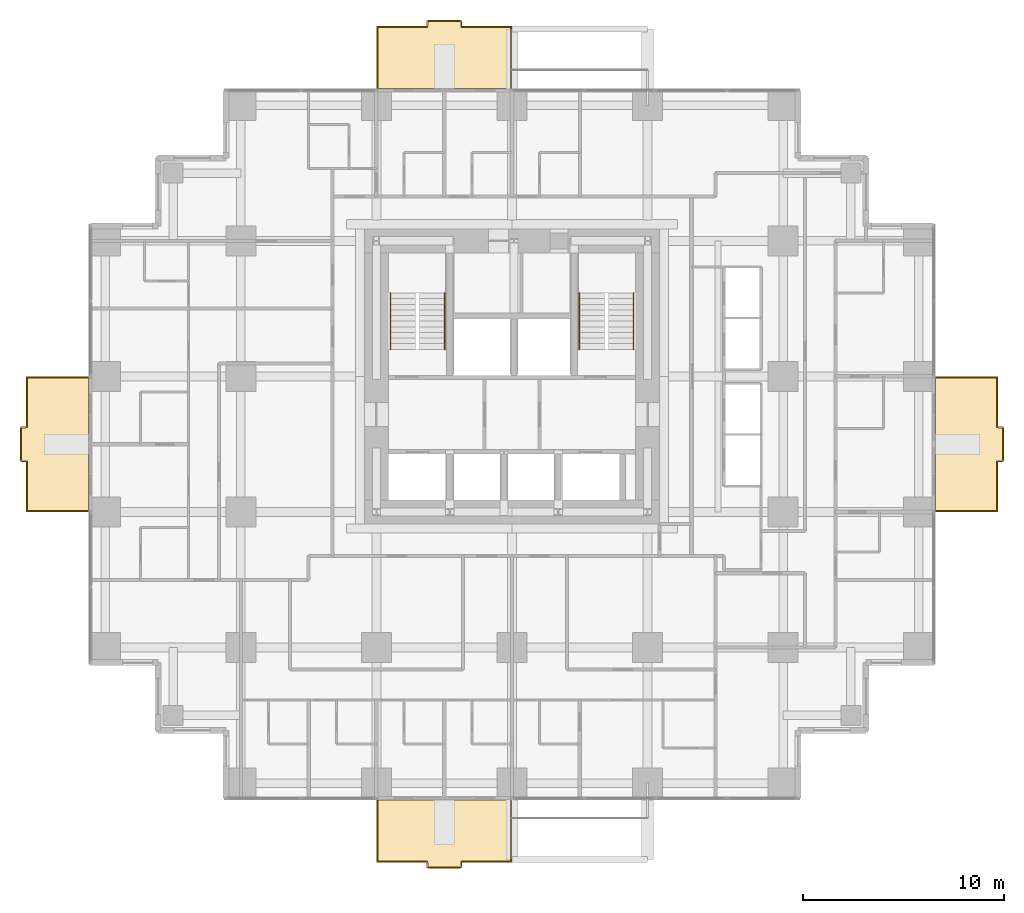
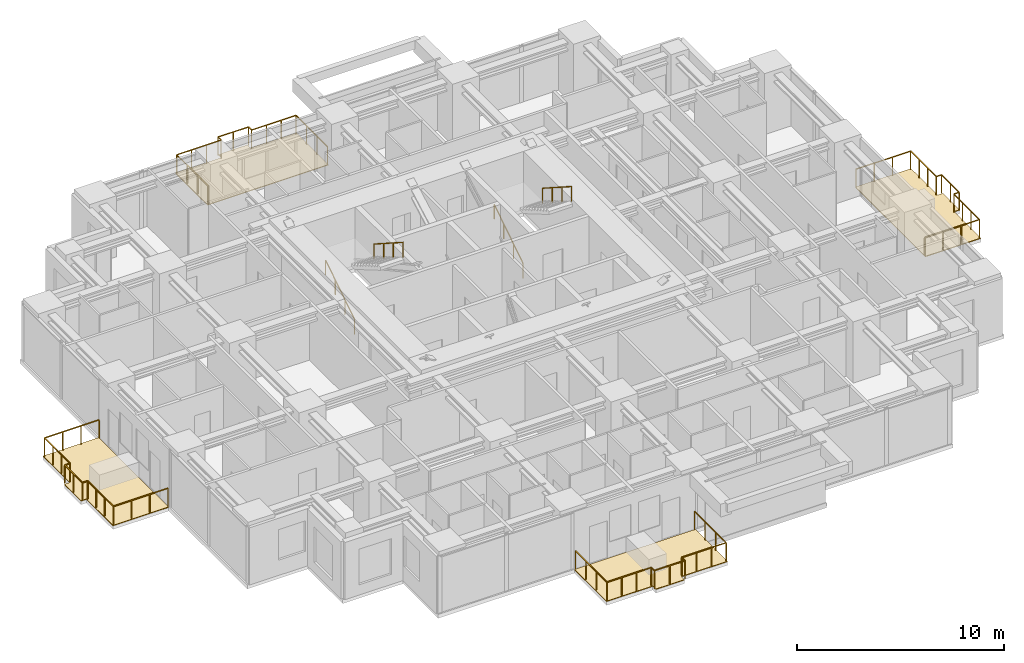
# One storey, part 13 of 13: 8 railings, 4 coverings.
"""IFC4 building model written with IfcOpenShell, lengths in metres."""

from ifc_helpers import new_model, si_unit, direction, frame, origin, origin_2d, place, context, subcontext, project, spatial, polyline, rectangle, outline, extrude, material, layer, layer_set, type_object, element, save


model = new_model("IFC4")

# Units and contexts
model_context = context("Model", 3, precision=1e-05, world=origin(), true_north=direction((0.0, 1.0)))
body_context = subcontext(model_context, "Body", "Model", "MODEL_VIEW")
ifc_project = project(units=[si_unit("LENGTHUNIT", "METRE"), si_unit("AREAUNIT", "SQUARE_METRE"), si_unit("VOLUMEUNIT", "CUBIC_METRE"), si_unit("PLANEANGLEUNIT", "RADIAN"), si_unit("MASSUNIT", "GRAM", prefix="KILO")], contexts=[model_context])

# Site, building, storey
site_placement = place(None, origin())
site = spatial("IfcSite", under=ifc_project, at=site_placement, CompositionType="ELEMENT")
building_placement = place(site_placement, origin())
building = spatial("IfcBuilding", under=site, at=building_placement, Name="Nyansa Garden Tower", CompositionType="ELEMENT")
storey_placement = place(building_placement, frame((0.0, 0.0, 116.10009765625)))
storey = spatial("IfcBuildingStorey", under=building, at=storey_placement, Name="L31", CompositionType="ELEMENT", Elevation=116.10009765625)

# Coverings
ifc_material_1 = material(Name="Hardwood decking on pedestals", Category="wood")
ifc_layer = layer(ifc_material_1, 0.0400390625)
ifc_layer_set = layer_set([ifc_layer], Name="Balcony decking DK40")
covering_type = type_object("IfcCoveringType", Name="Balcony decking DK40", PredefinedType="FLOORING", material=ifc_layer_set)
covering_1_placement = place(storey_placement, frame((0.0, 0.0, -0.0400390625)))
element("IfcCovering", 1, at=covering_1_placement, inside=storey, type_object=covering_type, Name="Balcony decking L31", PredefinedType="FLOORING", context=body_context, shape_type="SweptSolid", body=[
    extrude(outline(polyline([(13.5, -0.85009765625), (20.25, -0.85009765625), (20.25, -3.949951171875), (17.675048828125, -3.949951171875), (17.675048828125, -4.25), (16.074951171875, -4.25), (16.074951171875, -3.949951171875), (13.5, -3.949951171875), (13.5, -0.85009765625)])), origin(), (0.0, 0.0, 1.0), 0.0400390625),
])
covering_2_placement = place(storey_placement, frame((0.0, 0.0, -0.0400390625)))
element("IfcCovering", 2, at=covering_2_placement, inside=storey, type_object=covering_type, Name="Balcony decking L31", PredefinedType="FLOORING", context=body_context, shape_type="SweptSolid", body=[
    extrude(outline(polyline([(41.35009765625, 13.5), (41.35009765625, 20.25), (44.449951171875, 20.25), (44.449951171875, 17.675048828125), (44.75, 17.675048828125), (44.75, 16.074951171875), (44.449951171875, 16.074951171875), (44.449951171875, 13.5), (41.35009765625, 13.5)])), origin(), (0.0, 0.0, 1.0), 0.0400390625),
])
covering_3_placement = place(storey_placement, frame((0.0, 0.0, -0.0400390625)))
element("IfcCovering", 3, at=covering_3_placement, inside=storey, type_object=covering_type, Name="Balcony decking L31", PredefinedType="FLOORING", context=body_context, shape_type="SweptSolid", body=[
    extrude(outline(polyline([(13.5, 34.60009765625), (20.25, 34.60009765625), (20.25, 37.699951171875), (17.675048828125, 37.699951171875), (17.675048828125, 38.0), (16.074951171875, 38.0), (16.074951171875, 37.699951171875), (13.5, 37.699951171875), (13.5, 34.60009765625)])), origin(), (0.0, 0.0, 1.0), 0.0400390625),
])
covering_4_placement = place(storey_placement, frame((0.0, 0.0, -0.0400390625)))
element("IfcCovering", 4, at=covering_4_placement, inside=storey, type_object=covering_type, Name="Balcony decking L31", PredefinedType="FLOORING", context=body_context, shape_type="SweptSolid", body=[
    extrude(outline(polyline([(-0.85009765625, 13.5), (-0.85009765625, 20.25), (-3.949951171875, 20.25), (-3.949951171875, 17.675048828125), (-4.25, 17.675048828125), (-4.25, 16.074951171875), (-3.949951171875, 16.074951171875), (-3.949951171875, 13.5), (-0.85009765625, 13.5)])), origin(), (0.0, 0.0, 1.0), 0.0400390625),
])

# Railings
ifc_material_2 = material(Name="Black powder-coated steel balusters, laminated glass infill", Category="steel")
railing_type_1 = type_object("IfcRailingType", Name="Balcony guard G1", PredefinedType="GUARDRAIL", material=ifc_material_2)
railing_1_placement = place(storey_placement, frame((13.550048828125, -0.85009765625, 0.0)))
element("IfcRailing", 5, at=railing_1_placement, inside=storey, type_object=railing_type_1, Name="Balcony guard L31", PredefinedType="GUARDRAIL", context=body_context, shape_type="SweptSolid", body=[
    extrude(rectangle(XDim=0.048095703125, YDim=0.048095703125, at=origin_2d()), frame((0.0, 0.0, 1.076171875), z_axis=(0.0, -1.0, 0.0), x_axis=(1.0, 0.0, 0.0)), (0.0, 0.0, 1.0), 3.0498046875),
    extrude(rectangle(XDim=0.048095703125, YDim=0.048095703125, at=origin_2d()), frame((0.0, -3.0498046875, 1.076171875), z_axis=(1.0, 0.0, 0.0), x_axis=(0.0, 1.0, 0.0)), (0.0, 0.0, 1.0), 2.474853515625),
    extrude(rectangle(XDim=0.048095703125, YDim=0.048095703125, at=origin_2d()), frame((2.474853515625, -3.0498046875, 1.076171875), z_axis=(0.0, -1.0, 0.0), x_axis=(1.0, 0.0, 0.0)), (0.0, 0.0, 1.0), 0.300048828125),
    extrude(rectangle(XDim=0.048095703125, YDim=0.048095703125, at=origin_2d()), frame((2.474853515625, -3.349853515625, 1.076171875), z_axis=(1.0, 0.0, 0.0), x_axis=(0.0, 1.0, 0.0)), (0.0, 0.0, 1.0), 1.7001953125),
    extrude(rectangle(XDim=0.048095703125, YDim=0.048095703125, at=origin_2d()), frame((4.175048828125, -3.349853515625, 1.076171875), z_axis=(0.0, 1.0, 0.0), x_axis=(-1.0, 0.0, 0.0)), (0.0, 0.0, 1.0), 0.300048828125),
    extrude(rectangle(XDim=0.048095703125, YDim=0.048095703125, at=origin_2d()), frame((4.175048828125, -3.0498046875, 1.076171875), z_axis=(1.0, 0.0, 0.0), x_axis=(0.0, 1.0, 0.0)), (0.0, 0.0, 1.0), 2.474853515625),
    extrude(rectangle(XDim=0.048095703125, YDim=0.048095703125, at=origin_2d()), frame((6.64990234375, -3.0498046875, 1.076171875), z_axis=(0.0, 1.0, 0.0), x_axis=(-1.0, 0.0, 0.0)), (0.0, 0.0, 1.0), 3.0498046875),
    extrude(rectangle(XDim=0.0419921875, YDim=0.0419921875, at=origin_2d()), origin(), (0.0, 0.0, 1.0), 1.052001953125),
    extrude(rectangle(XDim=0.0419921875, YDim=0.0419921875, at=origin_2d()), frame((0.0, -1.0166015625, 0.0)), (0.0, 0.0, 1.0), 1.052001953125),
    extrude(rectangle(XDim=0.0419921875, YDim=0.0419921875, at=origin_2d()), frame((0.0, -2.033203125, 0.0)), (0.0, 0.0, 1.0), 1.052001953125),
    extrude(rectangle(XDim=0.0419921875, YDim=0.0419921875, at=origin_2d()), frame((0.0, -3.0498046875, 0.0)), (0.0, 0.0, 1.0), 1.052001953125),
    extrude(rectangle(XDim=0.0419921875, YDim=0.0419921875, at=origin_2d()), frame((0.824951171875, -3.0498046875, 0.0)), (0.0, 0.0, 1.0), 1.052001953125),
    extrude(rectangle(XDim=0.0419921875, YDim=0.0419921875, at=origin_2d()), frame((1.64990234375, -3.0498046875, 0.0)), (0.0, 0.0, 1.0), 1.052001953125),
    extrude(rectangle(XDim=0.0419921875, YDim=0.0419921875, at=origin_2d()), frame((2.474853515625, -3.0498046875, 0.0)), (0.0, 0.0, 1.0), 1.052001953125),
    extrude(rectangle(XDim=0.0419921875, YDim=0.0419921875, at=origin_2d()), frame((2.474853515625, -3.349853515625, 0.0)), (0.0, 0.0, 1.0), 1.052001953125),
    extrude(rectangle(XDim=0.0419921875, YDim=0.0419921875, at=origin_2d()), frame((3.324951171875, -3.349853515625, 0.0)), (0.0, 0.0, 1.0), 1.052001953125),
    extrude(rectangle(XDim=0.0419921875, YDim=0.0419921875, at=origin_2d()), frame((4.175048828125, -3.349853515625, 0.0)), (0.0, 0.0, 1.0), 1.052001953125),
    extrude(rectangle(XDim=0.0419921875, YDim=0.0419921875, at=origin_2d()), frame((4.175048828125, -3.0498046875, 0.0)), (0.0, 0.0, 1.0), 1.052001953125),
    extrude(rectangle(XDim=0.0419921875, YDim=0.0419921875, at=origin_2d()), frame((5.0, -3.0498046875, 0.0)), (0.0, 0.0, 1.0), 1.052001953125),
    extrude(rectangle(XDim=0.0419921875, YDim=0.0419921875, at=origin_2d()), frame((5.824951171875, -3.0498046875, 0.0)), (0.0, 0.0, 1.0), 1.052001953125),
    extrude(rectangle(XDim=0.0419921875, YDim=0.0419921875, at=origin_2d()), frame((6.64990234375, -3.0498046875, 0.0)), (0.0, 0.0, 1.0), 1.052001953125),
    extrude(rectangle(XDim=0.0419921875, YDim=0.0419921875, at=origin_2d()), frame((6.64990234375, -2.033203125, 0.0)), (0.0, 0.0, 1.0), 1.052001953125),
    extrude(rectangle(XDim=0.0419921875, YDim=0.0419921875, at=origin_2d()), frame((6.64990234375, -1.0166015625, 0.0)), (0.0, 0.0, 1.0), 1.052001953125),
    extrude(rectangle(XDim=0.0419921875, YDim=0.0419921875, at=origin_2d()), frame((6.64990234375, 0.0, 0.0)), (0.0, 0.0, 1.0), 1.052001953125),
])
railing_2_placement = place(storey_placement, frame((41.35009765625, 13.550048828125, 0.0)))
element("IfcRailing", 6, at=railing_2_placement, inside=storey, type_object=railing_type_1, Name="Balcony guard L31", PredefinedType="GUARDRAIL", context=body_context, shape_type="SweptSolid", body=[
    extrude(rectangle(XDim=0.048095703125, YDim=0.048095703125, at=origin_2d()), frame((0.0, 0.0, 1.076171875), z_axis=(1.0, 0.0, 0.0), x_axis=(0.0, 1.0, 0.0)), (0.0, 0.0, 1.0), 3.0498046875),
    extrude(rectangle(XDim=0.048095703125, YDim=0.048095703125, at=origin_2d()), frame((3.0498046875, 0.0, 1.076171875), z_axis=(0.0, 1.0, 0.0), x_axis=(-1.0, 0.0, 0.0)), (0.0, 0.0, 1.0), 2.474853515625),
    extrude(rectangle(XDim=0.048095703125, YDim=0.048095703125, at=origin_2d()), frame((3.0498046875, 2.474853515625, 1.076171875), z_axis=(1.0, 0.0, 0.0), x_axis=(0.0, 1.0, 0.0)), (0.0, 0.0, 1.0), 0.300048828125),
    extrude(rectangle(XDim=0.048095703125, YDim=0.048095703125, at=origin_2d()), frame((3.349853515625, 2.474853515625, 1.076171875), z_axis=(0.0, 1.0, 0.0), x_axis=(-1.0, 0.0, 0.0)), (0.0, 0.0, 1.0), 1.7001953125),
    extrude(rectangle(XDim=0.048095703125, YDim=0.048095703125, at=origin_2d()), frame((3.349853515625, 4.175048828125, 1.076171875), z_axis=(-1.0, 0.0, 0.0), x_axis=(0.0, -1.0, 0.0)), (0.0, 0.0, 1.0), 0.300048828125),
    extrude(rectangle(XDim=0.048095703125, YDim=0.048095703125, at=origin_2d()), frame((3.0498046875, 4.175048828125, 1.076171875), z_axis=(0.0, 1.0, 0.0), x_axis=(-1.0, 0.0, 0.0)), (0.0, 0.0, 1.0), 2.474853515625),
    extrude(rectangle(XDim=0.048095703125, YDim=0.048095703125, at=origin_2d()), frame((3.0498046875, 6.64990234375, 1.076171875), z_axis=(-1.0, 0.0, 0.0), x_axis=(0.0, -1.0, 0.0)), (0.0, 0.0, 1.0), 3.0498046875),
    extrude(rectangle(XDim=0.0419921875, YDim=0.0419921875, at=origin_2d()), origin(), (0.0, 0.0, 1.0), 1.052001953125),
    extrude(rectangle(XDim=0.0419921875, YDim=0.0419921875, at=origin_2d()), frame((1.0166015625, 0.0, 0.0)), (0.0, 0.0, 1.0), 1.052001953125),
    extrude(rectangle(XDim=0.0419921875, YDim=0.0419921875, at=origin_2d()), frame((2.033203125, 0.0, 0.0)), (0.0, 0.0, 1.0), 1.052001953125),
    extrude(rectangle(XDim=0.0419921875, YDim=0.0419921875, at=origin_2d()), frame((3.0498046875, 0.0, 0.0)), (0.0, 0.0, 1.0), 1.052001953125),
    extrude(rectangle(XDim=0.0419921875, YDim=0.0419921875, at=origin_2d()), frame((3.0498046875, 0.824951171875, 0.0)), (0.0, 0.0, 1.0), 1.052001953125),
    extrude(rectangle(XDim=0.0419921875, YDim=0.0419921875, at=origin_2d()), frame((3.0498046875, 1.64990234375, 0.0)), (0.0, 0.0, 1.0), 1.052001953125),
    extrude(rectangle(XDim=0.0419921875, YDim=0.0419921875, at=origin_2d()), frame((3.0498046875, 2.474853515625, 0.0)), (0.0, 0.0, 1.0), 1.052001953125),
    extrude(rectangle(XDim=0.0419921875, YDim=0.0419921875, at=origin_2d()), frame((3.349853515625, 2.474853515625, 0.0)), (0.0, 0.0, 1.0), 1.052001953125),
    extrude(rectangle(XDim=0.0419921875, YDim=0.0419921875, at=origin_2d()), frame((3.349853515625, 3.324951171875, 0.0)), (0.0, 0.0, 1.0), 1.052001953125),
    extrude(rectangle(XDim=0.0419921875, YDim=0.0419921875, at=origin_2d()), frame((3.349853515625, 4.175048828125, 0.0)), (0.0, 0.0, 1.0), 1.052001953125),
    extrude(rectangle(XDim=0.0419921875, YDim=0.0419921875, at=origin_2d()), frame((3.0498046875, 4.175048828125, 0.0)), (0.0, 0.0, 1.0), 1.052001953125),
    extrude(rectangle(XDim=0.0419921875, YDim=0.0419921875, at=origin_2d()), frame((3.0498046875, 5.0, 0.0)), (0.0, 0.0, 1.0), 1.052001953125),
    extrude(rectangle(XDim=0.0419921875, YDim=0.0419921875, at=origin_2d()), frame((3.0498046875, 5.824951171875, 0.0)), (0.0, 0.0, 1.0), 1.052001953125),
    extrude(rectangle(XDim=0.0419921875, YDim=0.0419921875, at=origin_2d()), frame((3.0498046875, 6.64990234375, 0.0)), (0.0, 0.0, 1.0), 1.052001953125),
    extrude(rectangle(XDim=0.0419921875, YDim=0.0419921875, at=origin_2d()), frame((2.033203125, 6.64990234375, 0.0)), (0.0, 0.0, 1.0), 1.052001953125),
    extrude(rectangle(XDim=0.0419921875, YDim=0.0419921875, at=origin_2d()), frame((1.0166015625, 6.64990234375, 0.0)), (0.0, 0.0, 1.0), 1.052001953125),
    extrude(rectangle(XDim=0.0419921875, YDim=0.0419921875, at=origin_2d()), frame((0.0, 6.64990234375, 0.0)), (0.0, 0.0, 1.0), 1.052001953125),
])
railing_3_placement = place(storey_placement, frame((13.550048828125, 34.60009765625, 0.0)))
element("IfcRailing", 7, at=railing_3_placement, inside=storey, type_object=railing_type_1, Name="Balcony guard L31", PredefinedType="GUARDRAIL", context=body_context, shape_type="SweptSolid", body=[
    extrude(rectangle(XDim=0.048095703125, YDim=0.048095703125, at=origin_2d()), frame((0.0, 0.0, 1.076171875), z_axis=(0.0, 1.0, 0.0), x_axis=(-1.0, 0.0, 0.0)), (0.0, 0.0, 1.0), 3.0498046875),
    extrude(rectangle(XDim=0.048095703125, YDim=0.048095703125, at=origin_2d()), frame((0.0, 3.0498046875, 1.076171875), z_axis=(1.0, 0.0, 0.0), x_axis=(0.0, 1.0, 0.0)), (0.0, 0.0, 1.0), 2.474853515625),
    extrude(rectangle(XDim=0.048095703125, YDim=0.048095703125, at=origin_2d()), frame((2.474853515625, 3.0498046875, 1.076171875), z_axis=(0.0, 1.0, 0.0), x_axis=(-1.0, 0.0, 0.0)), (0.0, 0.0, 1.0), 0.300048828125),
    extrude(rectangle(XDim=0.048095703125, YDim=0.048095703125, at=origin_2d()), frame((2.474853515625, 3.349853515625, 1.076171875), z_axis=(1.0, 0.0, 0.0), x_axis=(0.0, 1.0, 0.0)), (0.0, 0.0, 1.0), 1.7001953125),
    extrude(rectangle(XDim=0.048095703125, YDim=0.048095703125, at=origin_2d()), frame((4.175048828125, 3.349853515625, 1.076171875), z_axis=(0.0, -1.0, 0.0), x_axis=(1.0, 0.0, 0.0)), (0.0, 0.0, 1.0), 0.300048828125),
    extrude(rectangle(XDim=0.048095703125, YDim=0.048095703125, at=origin_2d()), frame((4.175048828125, 3.0498046875, 1.076171875), z_axis=(1.0, 0.0, 0.0), x_axis=(0.0, 1.0, 0.0)), (0.0, 0.0, 1.0), 2.474853515625),
    extrude(rectangle(XDim=0.048095703125, YDim=0.048095703125, at=origin_2d()), frame((6.64990234375, 3.0498046875, 1.076171875), z_axis=(0.0, -1.0, 0.0), x_axis=(1.0, 0.0, 0.0)), (0.0, 0.0, 1.0), 3.0498046875),
    extrude(rectangle(XDim=0.0419921875, YDim=0.0419921875, at=origin_2d()), origin(), (0.0, 0.0, 1.0), 1.052001953125),
    extrude(rectangle(XDim=0.0419921875, YDim=0.0419921875, at=origin_2d()), frame((0.0, 1.0166015625, 0.0)), (0.0, 0.0, 1.0), 1.052001953125),
    extrude(rectangle(XDim=0.0419921875, YDim=0.0419921875, at=origin_2d()), frame((0.0, 2.033203125, 0.0)), (0.0, 0.0, 1.0), 1.052001953125),
    extrude(rectangle(XDim=0.0419921875, YDim=0.0419921875, at=origin_2d()), frame((0.0, 3.0498046875, 0.0)), (0.0, 0.0, 1.0), 1.052001953125),
    extrude(rectangle(XDim=0.0419921875, YDim=0.0419921875, at=origin_2d()), frame((0.824951171875, 3.0498046875, 0.0)), (0.0, 0.0, 1.0), 1.052001953125),
    extrude(rectangle(XDim=0.0419921875, YDim=0.0419921875, at=origin_2d()), frame((1.64990234375, 3.0498046875, 0.0)), (0.0, 0.0, 1.0), 1.052001953125),
    extrude(rectangle(XDim=0.0419921875, YDim=0.0419921875, at=origin_2d()), frame((2.474853515625, 3.0498046875, 0.0)), (0.0, 0.0, 1.0), 1.052001953125),
    extrude(rectangle(XDim=0.0419921875, YDim=0.0419921875, at=origin_2d()), frame((2.474853515625, 3.349853515625, 0.0)), (0.0, 0.0, 1.0), 1.052001953125),
    extrude(rectangle(XDim=0.0419921875, YDim=0.0419921875, at=origin_2d()), frame((3.324951171875, 3.349853515625, 0.0)), (0.0, 0.0, 1.0), 1.052001953125),
    extrude(rectangle(XDim=0.0419921875, YDim=0.0419921875, at=origin_2d()), frame((4.175048828125, 3.349853515625, 0.0)), (0.0, 0.0, 1.0), 1.052001953125),
    extrude(rectangle(XDim=0.0419921875, YDim=0.0419921875, at=origin_2d()), frame((4.175048828125, 3.0498046875, 0.0)), (0.0, 0.0, 1.0), 1.052001953125),
    extrude(rectangle(XDim=0.0419921875, YDim=0.0419921875, at=origin_2d()), frame((5.0, 3.0498046875, 0.0)), (0.0, 0.0, 1.0), 1.052001953125),
    extrude(rectangle(XDim=0.0419921875, YDim=0.0419921875, at=origin_2d()), frame((5.824951171875, 3.0498046875, 0.0)), (0.0, 0.0, 1.0), 1.052001953125),
    extrude(rectangle(XDim=0.0419921875, YDim=0.0419921875, at=origin_2d()), frame((6.64990234375, 3.0498046875, 0.0)), (0.0, 0.0, 1.0), 1.052001953125),
    extrude(rectangle(XDim=0.0419921875, YDim=0.0419921875, at=origin_2d()), frame((6.64990234375, 2.033203125, 0.0)), (0.0, 0.0, 1.0), 1.052001953125),
    extrude(rectangle(XDim=0.0419921875, YDim=0.0419921875, at=origin_2d()), frame((6.64990234375, 1.0166015625, 0.0)), (0.0, 0.0, 1.0), 1.052001953125),
    extrude(rectangle(XDim=0.0419921875, YDim=0.0419921875, at=origin_2d()), frame((6.64990234375, 0.0, 0.0)), (0.0, 0.0, 1.0), 1.052001953125),
])
railing_4_placement = place(storey_placement, frame((-0.85009765625, 13.550048828125, 0.0)))
element("IfcRailing", 8, at=railing_4_placement, inside=storey, type_object=railing_type_1, Name="Balcony guard L31", PredefinedType="GUARDRAIL", context=body_context, shape_type="SweptSolid", body=[
    extrude(rectangle(XDim=0.048095703125, YDim=0.048095703125, at=origin_2d()), frame((0.0, 0.0, 1.076171875), z_axis=(-1.0, 0.0, 0.0), x_axis=(0.0, -1.0, 0.0)), (0.0, 0.0, 1.0), 3.0498046875),
    extrude(rectangle(XDim=0.048095703125, YDim=0.048095703125, at=origin_2d()), frame((-3.0498046875, 0.0, 1.076171875), z_axis=(0.0, 1.0, 0.0), x_axis=(-1.0, 0.0, 0.0)), (0.0, 0.0, 1.0), 2.474853515625),
    extrude(rectangle(XDim=0.048095703125, YDim=0.048095703125, at=origin_2d()), frame((-3.0498046875, 2.474853515625, 1.076171875), z_axis=(-1.0, 0.0, 0.0), x_axis=(0.0, -1.0, 0.0)), (0.0, 0.0, 1.0), 0.300048828125),
    extrude(rectangle(XDim=0.048095703125, YDim=0.048095703125, at=origin_2d()), frame((-3.349853515625, 2.474853515625, 1.076171875), z_axis=(0.0, 1.0, 0.0), x_axis=(-1.0, 0.0, 0.0)), (0.0, 0.0, 1.0), 1.7001953125),
    extrude(rectangle(XDim=0.048095703125, YDim=0.048095703125, at=origin_2d()), frame((-3.349853515625, 4.175048828125, 1.076171875), z_axis=(1.0, 0.0, 0.0), x_axis=(0.0, 1.0, 0.0)), (0.0, 0.0, 1.0), 0.300048828125),
    extrude(rectangle(XDim=0.048095703125, YDim=0.048095703125, at=origin_2d()), frame((-3.0498046875, 4.175048828125, 1.076171875), z_axis=(0.0, 1.0, 0.0), x_axis=(-1.0, 0.0, 0.0)), (0.0, 0.0, 1.0), 2.474853515625),
    extrude(rectangle(XDim=0.048095703125, YDim=0.048095703125, at=origin_2d()), frame((-3.0498046875, 6.64990234375, 1.076171875), z_axis=(1.0, 0.0, 0.0), x_axis=(0.0, 1.0, 0.0)), (0.0, 0.0, 1.0), 3.0498046875),
    extrude(rectangle(XDim=0.0419921875, YDim=0.0419921875, at=origin_2d()), origin(), (0.0, 0.0, 1.0), 1.052001953125),
    extrude(rectangle(XDim=0.0419921875, YDim=0.0419921875, at=origin_2d()), frame((-1.0166015625, 0.0, 0.0)), (0.0, 0.0, 1.0), 1.052001953125),
    extrude(rectangle(XDim=0.0419921875, YDim=0.0419921875, at=origin_2d()), frame((-2.033203125, 0.0, 0.0)), (0.0, 0.0, 1.0), 1.052001953125),
    extrude(rectangle(XDim=0.0419921875, YDim=0.0419921875, at=origin_2d()), frame((-3.0498046875, 0.0, 0.0)), (0.0, 0.0, 1.0), 1.052001953125),
    extrude(rectangle(XDim=0.0419921875, YDim=0.0419921875, at=origin_2d()), frame((-3.0498046875, 0.824951171875, 0.0)), (0.0, 0.0, 1.0), 1.052001953125),
    extrude(rectangle(XDim=0.0419921875, YDim=0.0419921875, at=origin_2d()), frame((-3.0498046875, 1.64990234375, 0.0)), (0.0, 0.0, 1.0), 1.052001953125),
    extrude(rectangle(XDim=0.0419921875, YDim=0.0419921875, at=origin_2d()), frame((-3.0498046875, 2.474853515625, 0.0)), (0.0, 0.0, 1.0), 1.052001953125),
    extrude(rectangle(XDim=0.0419921875, YDim=0.0419921875, at=origin_2d()), frame((-3.349853515625, 2.474853515625, 0.0)), (0.0, 0.0, 1.0), 1.052001953125),
    extrude(rectangle(XDim=0.0419921875, YDim=0.0419921875, at=origin_2d()), frame((-3.349853515625, 3.324951171875, 0.0)), (0.0, 0.0, 1.0), 1.052001953125),
    extrude(rectangle(XDim=0.0419921875, YDim=0.0419921875, at=origin_2d()), frame((-3.349853515625, 4.175048828125, 0.0)), (0.0, 0.0, 1.0), 1.052001953125),
    extrude(rectangle(XDim=0.0419921875, YDim=0.0419921875, at=origin_2d()), frame((-3.0498046875, 4.175048828125, 0.0)), (0.0, 0.0, 1.0), 1.052001953125),
    extrude(rectangle(XDim=0.0419921875, YDim=0.0419921875, at=origin_2d()), frame((-3.0498046875, 5.0, 0.0)), (0.0, 0.0, 1.0), 1.052001953125),
    extrude(rectangle(XDim=0.0419921875, YDim=0.0419921875, at=origin_2d()), frame((-3.0498046875, 5.824951171875, 0.0)), (0.0, 0.0, 1.0), 1.052001953125),
    extrude(rectangle(XDim=0.0419921875, YDim=0.0419921875, at=origin_2d()), frame((-3.0498046875, 6.64990234375, 0.0)), (0.0, 0.0, 1.0), 1.052001953125),
    extrude(rectangle(XDim=0.0419921875, YDim=0.0419921875, at=origin_2d()), frame((-2.033203125, 6.64990234375, 0.0)), (0.0, 0.0, 1.0), 1.052001953125),
    extrude(rectangle(XDim=0.0419921875, YDim=0.0419921875, at=origin_2d()), frame((-1.0166015625, 6.64990234375, 0.0)), (0.0, 0.0, 1.0), 1.052001953125),
    extrude(rectangle(XDim=0.0419921875, YDim=0.0419921875, at=origin_2d()), frame((0.0, 6.64990234375, 0.0)), (0.0, 0.0, 1.0), 1.052001953125),
])
ifc_material_3 = material(Name="Black powder-coated steel tube 48 mm", Category="steel")
railing_type_2 = type_object("IfcRailingType", Name="Stair handrail HR1", PredefinedType="HANDRAIL", material=ifc_material_3)
railing_5_placement = place(storey_placement, frame((14.199951171875, 21.60009765625, 0.0)))
element("IfcRailing", 9, at=railing_5_placement, inside=storey, type_object=railing_type_2, Name="Stair S1 handrail L31", PredefinedType="HANDRAIL", context=body_context, shape_type="SweptSolid", body=[
    extrude(rectangle(XDim=0.048095703125, YDim=0.048095703125, at=origin_2d()), frame((0.0, 0.0, 0.8759765625), z_axis=(0.0, 0.841188008214, 0.540742762169), x_axis=(-1.0, 0.0, 0.0)), (0.0, 0.0, 1.0), 3.328369140625),
    extrude(rectangle(XDim=0.0419921875, YDim=0.0419921875, at=origin_2d()), origin(), (0.0, 0.0, 1.0), 0.851806640625),
    extrude(rectangle(XDim=0.0419921875, YDim=0.0419921875, at=origin_2d()), frame((0.0, 0.933349609375, 0.599853515625)), (0.0, 0.0, 1.0), 0.851806640625),
    extrude(rectangle(XDim=0.0419921875, YDim=0.0419921875, at=origin_2d()), frame((0.0, 1.866455078125, 1.199951171875)), (0.0, 0.0, 1.0), 0.851806640625),
    extrude(rectangle(XDim=0.0419921875, YDim=0.0419921875, at=origin_2d()), frame((0.0, 2.7998046875, 1.7998046875)), (0.0, 0.0, 1.0), 0.851806640625),
])
railing_6_placement = place(storey_placement, frame((16.89990234375, 24.39990234375, 1.7998046875)))
element("IfcRailing", 10, at=railing_6_placement, inside=storey, type_object=railing_type_2, Name="Stair S1 handrail L31", PredefinedType="HANDRAIL", context=body_context, shape_type="SweptSolid", body=[
    extrude(rectangle(XDim=0.048095703125, YDim=0.048095703125, at=origin_2d()), frame((0.0, 0.0, 0.8759765625), z_axis=(0.0, -0.841154643086, 0.54079466197), x_axis=(1.0, 0.0, 0.0)), (0.0, 0.0, 1.0), 3.32861328125),
    extrude(rectangle(XDim=0.0419921875, YDim=0.0419921875, at=origin_2d()), origin(), (0.0, 0.0, 1.0), 0.851806640625),
    extrude(rectangle(XDim=0.0419921875, YDim=0.0419921875, at=origin_2d()), frame((0.0, -0.933349609375, 0.60009765625)), (0.0, 0.0, 1.0), 0.851806640625),
    extrude(rectangle(XDim=0.0419921875, YDim=0.0419921875, at=origin_2d()), frame((0.0, -1.866455078125, 1.199951171875)), (0.0, 0.0, 1.0), 0.851806640625),
    extrude(rectangle(XDim=0.0419921875, YDim=0.0419921875, at=origin_2d()), frame((0.0, -2.7998046875, 1.800048828125)), (0.0, 0.0, 1.0), 0.851806640625),
])
railing_7_placement = place(storey_placement, frame((23.60009765625, 21.60009765625, 0.0)))
element("IfcRailing", 11, at=railing_7_placement, inside=storey, type_object=railing_type_2, Name="Stair S2 handrail L31", PredefinedType="HANDRAIL", context=body_context, shape_type="SweptSolid", body=[
    extrude(rectangle(XDim=0.048095703125, YDim=0.048095703125, at=origin_2d()), frame((0.0, 0.0, 0.8759765625), z_axis=(0.0, 0.841188008214, 0.540742762169), x_axis=(-1.0, 0.0, 0.0)), (0.0, 0.0, 1.0), 3.328369140625),
    extrude(rectangle(XDim=0.0419921875, YDim=0.0419921875, at=origin_2d()), origin(), (0.0, 0.0, 1.0), 0.851806640625),
    extrude(rectangle(XDim=0.0419921875, YDim=0.0419921875, at=origin_2d()), frame((0.0, 0.933349609375, 0.599853515625)), (0.0, 0.0, 1.0), 0.851806640625),
    extrude(rectangle(XDim=0.0419921875, YDim=0.0419921875, at=origin_2d()), frame((0.0, 1.866455078125, 1.199951171875)), (0.0, 0.0, 1.0), 0.851806640625),
    extrude(rectangle(XDim=0.0419921875, YDim=0.0419921875, at=origin_2d()), frame((0.0, 2.7998046875, 1.7998046875)), (0.0, 0.0, 1.0), 0.851806640625),
])
railing_8_placement = place(storey_placement, frame((26.300048828125, 24.39990234375, 1.7998046875)))
element("IfcRailing", 12, at=railing_8_placement, inside=storey, type_object=railing_type_2, Name="Stair S2 handrail L31", PredefinedType="HANDRAIL", context=body_context, shape_type="SweptSolid", body=[
    extrude(rectangle(XDim=0.048095703125, YDim=0.048095703125, at=origin_2d()), frame((0.0, 0.0, 0.8759765625), z_axis=(0.0, -0.841154643086, 0.54079466197), x_axis=(1.0, 0.0, 0.0)), (0.0, 0.0, 1.0), 3.32861328125),
    extrude(rectangle(XDim=0.0419921875, YDim=0.0419921875, at=origin_2d()), origin(), (0.0, 0.0, 1.0), 0.851806640625),
    extrude(rectangle(XDim=0.0419921875, YDim=0.0419921875, at=origin_2d()), frame((0.0, -0.933349609375, 0.60009765625)), (0.0, 0.0, 1.0), 0.851806640625),
    extrude(rectangle(XDim=0.0419921875, YDim=0.0419921875, at=origin_2d()), frame((0.0, -1.866455078125, 1.199951171875)), (0.0, 0.0, 1.0), 0.851806640625),
    extrude(rectangle(XDim=0.0419921875, YDim=0.0419921875, at=origin_2d()), frame((0.0, -2.7998046875, 1.800048828125)), (0.0, 0.0, 1.0), 0.851806640625),
])

save(model, "model.ifc")
